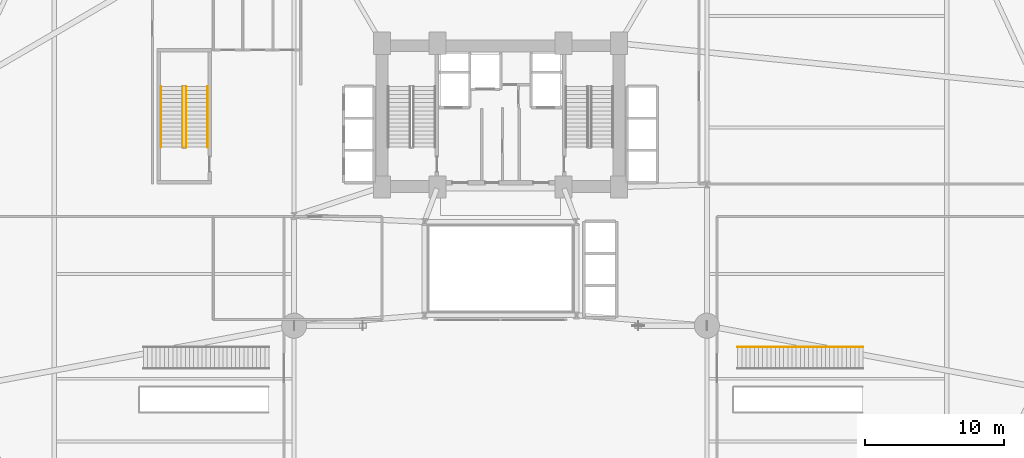
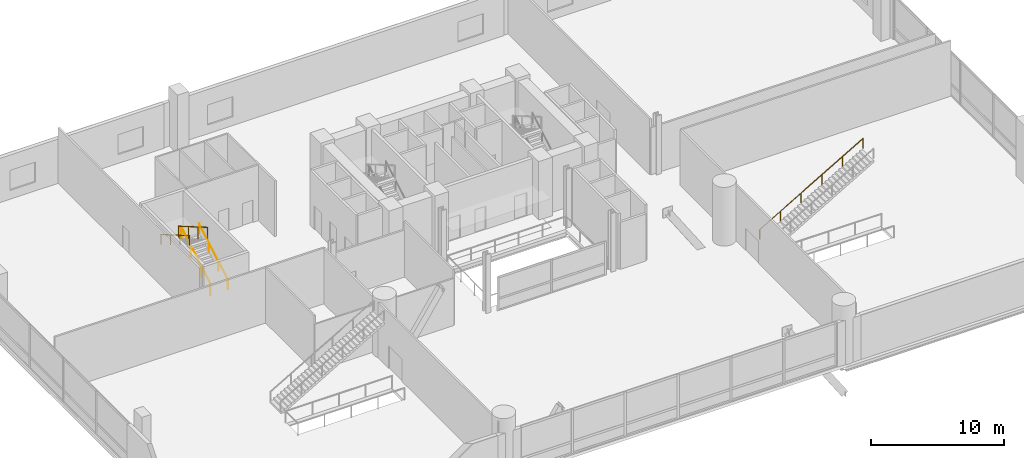
# One storey, part 37 of 40: 5 railings.
"""IFC4 building model written with IfcOpenShell, lengths in metres."""

from ifc_helpers import new_model, si_unit, direction, frame, origin, origin_2d, place, context, subcontext, project, spatial, circle, extrude, material, type_object, element, save


model = new_model("IFC4")

# Units and contexts
model_context = context("Model", 3, precision=1e-05, world=origin(), true_north=direction((0.0, 1.0)))
body_context = subcontext(model_context, "Body", "Model", "MODEL_VIEW")
ifc_project = project(units=[si_unit("LENGTHUNIT", "METRE"), si_unit("AREAUNIT", "SQUARE_METRE"), si_unit("VOLUMEUNIT", "CUBIC_METRE"), si_unit("PLANEANGLEUNIT", "RADIAN"), si_unit("MASSUNIT", "GRAM", prefix="KILO")], contexts=[model_context])

# Site, building, storey
site_placement = place(None, origin())
site = spatial("IfcSite", under=ifc_project, at=site_placement, CompositionType="ELEMENT")
building_placement = place(site_placement, origin())
building = spatial("IfcBuilding", under=site, at=building_placement, Name="Varnelok Gate Tower", CompositionType="ELEMENT")
storey_placement = place(building_placement, frame((0.0, 0.0, 5.39990234375)))
storey = spatial("IfcBuildingStorey", under=building, at=storey_placement, Name="L01", CompositionType="ELEMENT", Elevation=5.39990234375)

# Railings
ifc_material_1 = material(Name="Brushed Stainless Steel AISI 316", Category="steel")
railing_type_1 = type_object("IfcRailingType", Name="RL-HANDRAIL-900", PredefinedType="HANDRAIL", material=ifc_material_1)
railing_1_placement = place(storey_placement, frame((18.199951171875, 31.60009765625, 0.1689453125)))
element("IfcRailing", 1, at=railing_1_placement, inside=storey, type_object=railing_type_1, Name="L01 ST-3 stair handrail 1", PredefinedType="HANDRAIL", context=body_context, shape_type="SweptSolid", body=[
    extrude(circle(Radius=0.02392578125, at=origin_2d()), frame((0.0, 0.0, 0.8759765625), z_axis=(0.0, 0.864311530196, 0.502956835891), x_axis=(-1.0, 0.0, 0.0)), (0.0, 0.0, 1.0), 5.03271484375),
    extrude(circle(Radius=0.02099609375, at=origin_2d()), origin(), (0.0, 0.0, 1.0), 0.851806640625),
    extrude(circle(Radius=0.02099609375, at=origin_2d()), frame((0.0, 1.449951171875, 0.84375)), (0.0, 0.0, 1.0), 0.851806640625),
    extrude(circle(Radius=0.02099609375, at=origin_2d()), frame((0.0, 2.89990234375, 1.6875)), (0.0, 0.0, 1.0), 0.851806640625),
    extrude(circle(Radius=0.02099609375, at=origin_2d()), frame((0.0, 4.349853515625, 2.53125)), (0.0, 0.0, 1.0), 0.851806640625),
])
railing_2_placement = place(storey_placement, frame((14.85009765625, 35.949951171875, 2.868896484375)))
element("IfcRailing", 2, at=railing_2_placement, inside=storey, type_object=railing_type_1, Name="L01 ST-3 stair handrail 2", PredefinedType="HANDRAIL", context=body_context, shape_type="SweptSolid", body=[
    extrude(circle(Radius=0.02392578125, at=origin_2d()), frame((0.0, 0.0, 0.8759765625), z_axis=(0.0, -0.864311530196, 0.502956835891), x_axis=(1.0, 0.0, 0.0)), (0.0, 0.0, 1.0), 5.03271484375),
    extrude(circle(Radius=0.02099609375, at=origin_2d()), origin(), (0.0, 0.0, 1.0), 0.851806640625),
    extrude(circle(Radius=0.02099609375, at=origin_2d()), frame((0.0, -1.449951171875, 0.84375)), (0.0, 0.0, 1.0), 0.851806640625),
    extrude(circle(Radius=0.02099609375, at=origin_2d()), frame((0.0, -2.89990234375, 1.6875)), (0.0, 0.0, 1.0), 0.851806640625),
    extrude(circle(Radius=0.02099609375, at=origin_2d()), frame((0.0, -4.349853515625, 2.53125)), (0.0, 0.0, 1.0), 0.851806640625),
])
railing_3_placement = place(storey_placement, frame((56.199951171875, 17.27490234375, 0.17431640625)))
element("IfcRailing", 3, at=railing_3_placement, inside=storey, type_object=railing_type_1, Name="ST-5-L01E Handrail R", PredefinedType="HANDRAIL", context=body_context, shape_type="SweptSolid", body=[
    extrude(circle(Radius=0.02392578125, at=origin_2d()), frame((0.0, 0.0, 0.8759765625), z_axis=(0.864787960788, 0.0, 0.502137215187), x_axis=(0.0, 1.0, 0.0)), (0.0, 0.0, 1.0), 10.4072265625),
    extrude(circle(Radius=0.02099609375, at=origin_2d()), origin(), (0.0, 0.0, 1.0), 0.851806640625),
    extrude(circle(Radius=0.02099609375, at=origin_2d()), frame((1.800048828125, 0.0, 1.045166015625)), (0.0, 0.0, 1.0), 0.851806640625),
    extrude(circle(Radius=0.02099609375, at=origin_2d()), frame((3.60009765625, 0.0, 2.09033203125)), (0.0, 0.0, 1.0), 0.851806640625),
    extrude(circle(Radius=0.02099609375, at=origin_2d()), frame((5.39990234375, 0.0, 3.135498046875)), (0.0, 0.0, 1.0), 0.851806640625),
    extrude(circle(Radius=0.02099609375, at=origin_2d()), frame((7.199951171875, 0.0, 4.1806640625)), (0.0, 0.0, 1.0), 0.851806640625),
    extrude(circle(Radius=0.02099609375, at=origin_2d()), frame((9.0, 0.0, 5.225830078125)), (0.0, 0.0, 1.0), 0.851806640625),
])
ifc_material_2 = material(Name="Galvanized Steel Grade S350GD", Category="steel")
railing_type_2 = type_object("IfcRailingType", Name="RL-STAIR-GUARD1120", PredefinedType="GUARDRAIL", material=ifc_material_2)
railing_4_placement = place(storey_placement, frame((16.64990234375, 31.60009765625, 0.1689453125)))
element("IfcRailing", 4, at=railing_4_placement, inside=storey, type_object=railing_type_2, Name="L01 ST-3 stair guard 1", PredefinedType="GUARDRAIL", context=body_context, shape_type="SweptSolid", body=[
    extrude(circle(Radius=0.02392578125, at=origin_2d()), frame((0.0, 0.0, 1.09619140625), z_axis=(0.0, 0.864311530196, 0.502956835891), x_axis=(-1.0, 0.0, 0.0)), (0.0, 0.0, 1.0), 5.03271484375),
    extrude(circle(Radius=0.02099609375, at=origin_2d()), origin(), (0.0, 0.0, 1.0), 1.072021484375),
    extrude(circle(Radius=0.02099609375, at=origin_2d()), frame((0.0, 1.449951171875, 0.84375)), (0.0, 0.0, 1.0), 1.072021484375),
    extrude(circle(Radius=0.02099609375, at=origin_2d()), frame((0.0, 2.89990234375, 1.6875)), (0.0, 0.0, 1.0), 1.072021484375),
    extrude(circle(Radius=0.02099609375, at=origin_2d()), frame((0.0, 4.349853515625, 2.53125)), (0.0, 0.0, 1.0), 1.072021484375),
])
railing_5_placement = place(storey_placement, frame((16.39990234375, 35.949951171875, 2.868896484375)))
element("IfcRailing", 5, at=railing_5_placement, inside=storey, type_object=railing_type_2, Name="L01 ST-3 stair guard 3", PredefinedType="GUARDRAIL", context=body_context, shape_type="SweptSolid", body=[
    extrude(circle(Radius=0.02392578125, at=origin_2d()), frame((0.0, 0.0, 1.09619140625), z_axis=(0.0, -0.864311530196, 0.502956835891), x_axis=(1.0, 0.0, 0.0)), (0.0, 0.0, 1.0), 5.03271484375),
    extrude(circle(Radius=0.02099609375, at=origin_2d()), origin(), (0.0, 0.0, 1.0), 1.072021484375),
    extrude(circle(Radius=0.02099609375, at=origin_2d()), frame((0.0, -1.449951171875, 0.84375)), (0.0, 0.0, 1.0), 1.072021484375),
    extrude(circle(Radius=0.02099609375, at=origin_2d()), frame((0.0, -2.89990234375, 1.6875)), (0.0, 0.0, 1.0), 1.072021484375),
    extrude(circle(Radius=0.02099609375, at=origin_2d()), frame((0.0, -4.349853515625, 2.53125)), (0.0, 0.0, 1.0), 1.072021484375),
])

save(model, "model.ifc")
